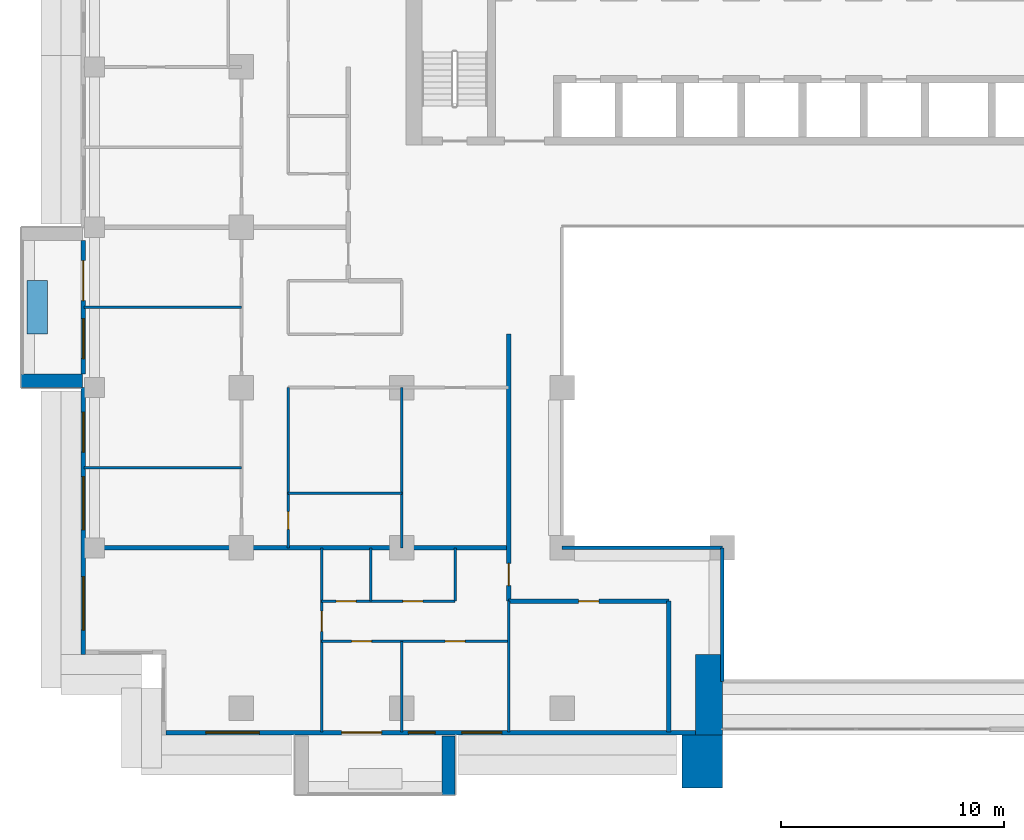
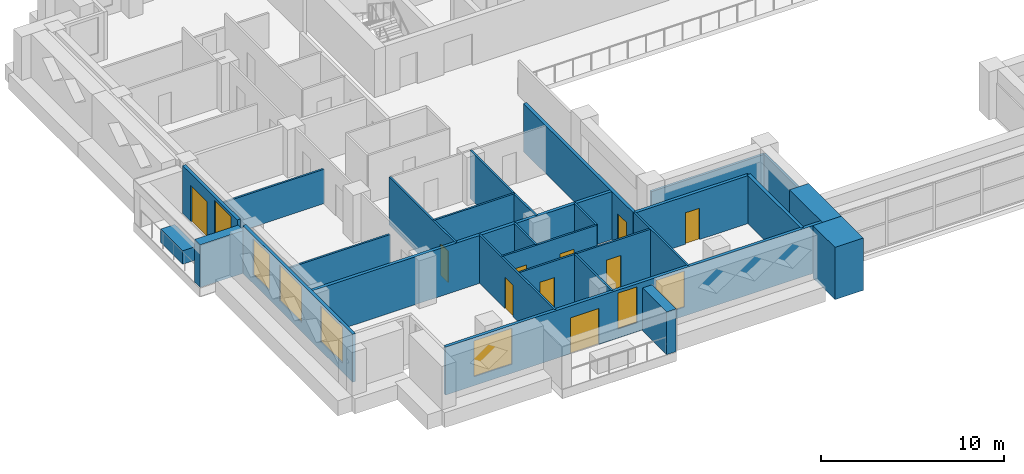
# One storey, part 6 of 19: 26 walls, 10 doors, 7 windows, 17 openings.
"""IFC4 building model written with IfcOpenShell, lengths in metres."""

from ifc_helpers import new_model, si_unit, direction, frame, frame_2d, origin, place, context, subcontext, project, spatial, rectangle, extrude, material, layer, layer_set, type_object, element, fill, save


model = new_model("IFC4")

# Units and contexts
model_context = context("Model", 3, precision=1e-05, world=origin(), true_north=direction((0.0, 1.0)))
body_context = subcontext(model_context, "Body", "Model", "MODEL_VIEW")
ifc_project = project(units=[si_unit("LENGTHUNIT", "METRE"), si_unit("AREAUNIT", "SQUARE_METRE"), si_unit("VOLUMEUNIT", "CUBIC_METRE"), si_unit("PLANEANGLEUNIT", "RADIAN"), si_unit("MASSUNIT", "GRAM", prefix="KILO")], contexts=[model_context])

# Site, building, storey
site_placement = place(None, origin())
site = spatial("IfcSite", under=ifc_project, at=site_placement, CompositionType="ELEMENT")
building_placement = place(site_placement, origin())
building = spatial("IfcBuilding", under=site, at=building_placement, Name="Saffron Iwan Residences", CompositionType="ELEMENT")
storey_placement = place(building_placement, frame((0.0, 0.0, 120.0)))
storey = spatial("IfcBuildingStorey", under=building, at=storey_placement, Name="L31", CompositionType="ELEMENT", Elevation=120.0)

# Walls
ifc_material_1 = material(Name="Fire-rated glazing", Category="glass")
ifc_layer_1 = layer(ifc_material_1, 0.14990234375)
ifc_layer_set_1 = layer_set([ifc_layer_1], Name="Fire-rated glazing")
wall_type_1 = type_object("IfcWallType", Name="Atrium glazed screen 150", PredefinedType="SOLIDWALL", material=ifc_layer_set_1)
wall_1_placement = place(storey_placement, frame((36.0, 48.0, 0.0), z_axis=(0.0, 0.0, 1.0), x_axis=(1.0, 0.0, 0.0)))
element("IfcWall", 1, at=wall_1_placement, inside=storey, type_object=wall_type_1, Name="W-L31-SCREEN-h48-36", PredefinedType="SOLIDWALL", context=body_context, shape_type="SweptSolid", body=[
    extrude(rectangle(XDim=7.199951171875, YDim=0.14990234375, at=frame_2d((3.60009765625, 0.0))), origin(), (0.0, 0.0, 1.0), 2.300048828125),
])
wall_2_placement = place(storey_placement, frame((43.199951171875, 42.0, 0.0), z_axis=(0.0, 0.0, 1.0), x_axis=(0.0, 1.0, 0.0)))
element("IfcWall", 2, at=wall_2_placement, inside=storey, type_object=wall_type_1, Name="W-L31-SCREEN-v43.2-42", PredefinedType="SOLIDWALL", context=body_context, shape_type="SweptSolid", body=[
    extrude(rectangle(XDim=6.0, YDim=0.14990234375, at=frame_2d((3.0, 0.0))), origin(), (0.0, 0.0, 1.0), 2.300048828125),
])
ifc_material_2 = material(Name="Concrete C50/60 white painted", Category="concrete")
ifc_layer_2 = layer(ifc_material_2, 0.60009765625)
ifc_layer_set_2 = layer_set([ifc_layer_2], Name="Concrete C50/60 white painted")
wall_type_2 = type_object("IfcWallType", Name="BALCONY FIN 600", PredefinedType="SOLIDWALL", material=ifc_layer_set_2)
wall_3_placement = place(storey_placement, frame((14.449951171875, 55.5, 0.0), z_axis=(0.0, 0.0, 1.0), x_axis=(-1.0, 0.0, 0.0)))
element("IfcWall", 3, at=wall_3_placement, inside=storey, type_object=wall_type_2, Name="Balcony fin L31 F8-0b", PredefinedType="SOLIDWALL", context=body_context, shape_type="SweptSolid", body=[
    extrude(rectangle(XDim=2.75, YDim=0.60009765625, at=frame_2d((1.375, 0.0))), origin(), (0.0, 0.0, 1.0), 2.85009765625),
])
wall_4_placement = place(storey_placement, frame((30.89990234375, 39.550048828125, 0.0), z_axis=(0.0, 0.0, 1.0), x_axis=(0.0, -1.0, 0.0)))
element("IfcWall", 4, at=wall_4_placement, inside=storey, type_object=wall_type_2, Name="Balcony fin L31 11-0b", PredefinedType="SOLIDWALL", context=body_context, shape_type="SweptSolid", body=[
    extrude(rectangle(XDim=2.650146484375, YDim=0.60009765625, at=frame_2d((1.3251953125, 0.0))), origin(), (0.0, 0.0, 1.0), 2.85009765625),
])
ifc_material_3 = material(Name="Concrete C35/45 white painted", Category="concrete")
ifc_layer_3 = layer(ifc_material_3, 0.14990234375)
ifc_layer_set_3 = layer_set([ifc_layer_3], Name="Concrete C35/45 white painted")
wall_type_3 = type_object("IfcWallType", Name="BALCONY PLANTER", PredefinedType="SOLIDWALL", material=ifc_layer_set_3)
wall_5_placement = place(storey_placement, frame((12.425048828125, 60.0, 0.0), z_axis=(0.0, 0.0, 1.0), x_axis=(0.0, -1.0, 0.0)))
element("IfcWall", 5, at=wall_5_placement, inside=storey, type_object=wall_type_3, Name="PLANTER L31 F8-0", PredefinedType="SOLIDWALL", context=body_context, shape_type="SweptSolid", body=[
    extrude(rectangle(XDim=2.39990234375, YDim=0.89990234375, at=frame_2d((1.199951171875, 0.0))), origin(), (0.0, 0.0, 1.0), 0.89990234375),
])

# Wall, openings, door, window
ifc_material_4 = material(Name="Concrete C40/50", Category="concrete")
ifc_layer_4 = layer(ifc_material_4, 0.199951171875)
ifc_layer_set_4 = layer_set([ifc_layer_4], Name="Concrete C40/50")
wall_type_4 = type_object("IfcWallType", Name="EXTERNAL WALL 200", PredefinedType="SOLIDWALL", material=ifc_layer_set_4)
wall_6_placement = place(storey_placement, frame((14.5, 61.800048828125, 0.0), z_axis=(0.0, 0.0, 1.0), x_axis=(0.0, -1.0, 0.0)))
wall_6 = element("IfcWall", 6, at=wall_6_placement, inside=storey, type_object=wall_type_4, Name="External wall L31 F8.1", PredefinedType="SOLIDWALL", context=body_context, shape_type="SweptSolid", body=[
    extrude(rectangle(XDim=6.0, YDim=0.199951171875, at=frame_2d((3.0, 0.0))), origin(), (0.0, 0.0, 1.0), 3.199951171875),
])
opening_1_placement = place(wall_6_placement, frame((0.89990234375, 0.0, 0.0)))
opening_1 = element("IfcOpeningElement", 7, at=opening_1_placement, cuts=wall_6, Name="Opening BD1", PredefinedType="OPENING", context=body_context, shape_type="SweptSolid", body=[
    extrude(rectangle(XDim=1.800048828125, YDim=2.39990234375, at=frame_2d((0.89990234375, 1.199951171875))), frame((0.0, 0.10986328125, 0.0), z_axis=(0.0, -1.0, 0.0), x_axis=(1.0, 0.0, 0.0)), (0.0, 0.0, 1.0), 0.219970703125),
])
opening_2_placement = place(wall_6_placement, frame((3.5, 0.0, 0.60009765625)))
opening_2 = element("IfcOpeningElement", 8, at=opening_2_placement, cuts=wall_6, Name="Opening W8", PredefinedType="OPENING", context=body_context, shape_type="SweptSolid", body=[
    extrude(rectangle(XDim=1.800048828125, YDim=2.39990234375, at=frame_2d((0.89990234375, 1.199951171875))), frame((0.0, 0.10986328125, 0.0), z_axis=(0.0, -1.0, 0.0), x_axis=(1.0, 0.0, 0.0)), (0.0, 0.0, 1.0), 0.219970703125),
])
ifc_material_5 = material(Name="Clear glass, laminated double glazed", Category="glass")
door_type_1 = type_object("IfcDoorType", Name="BALCONY DOOR 1800 x 2400", OperationType="DOUBLE_DOOR_SLIDING", PredefinedType="DOOR", material=ifc_material_5)
door_1_placement = place(opening_1_placement, origin())
door_1 = element("IfcDoor", 9, at=door_1_placement, inside=storey, type_object=door_type_1, Name="Balcony door L31 F8.0", OperationType="DOUBLE_DOOR_SLIDING", OverallHeight=2.39990234375, OverallWidth=1.800048828125, PredefinedType="DOOR", context=body_context, shape_type="SweptSolid", body=[
    extrude(rectangle(XDim=1.800048828125, YDim=2.39990234375, at=frame_2d((0.89990234375, 1.199951171875))), frame((0.0, 0.02490234375, 0.0), z_axis=(0.0, -1.0, 0.0), x_axis=(1.0, 0.0, 0.0)), (0.0, 0.0, 1.0), 0.050048828125),
])
fill(opening_1, door_1)
window_type_1 = type_object("IfcWindowType", Name="WINDOW 1800 x 2400", PartitioningType="DOUBLE_PANEL_VERTICAL", PredefinedType="WINDOW", material=ifc_material_5)
window_1_placement = place(opening_2_placement, origin())
window_1 = element("IfcWindow", 10, at=window_1_placement, inside=storey, type_object=window_type_1, Name="Window L31 F8.1", OverallHeight=2.39990234375, OverallWidth=1.800048828125, PartitioningType="DOUBLE_PANEL_VERTICAL", PredefinedType="WINDOW", context=body_context, shape_type="SweptSolid", body=[
    extrude(rectangle(XDim=1.800048828125, YDim=2.39990234375, at=frame_2d((0.89990234375, 1.199951171875))), frame((0.0, 0.030029296875, 0.0), z_axis=(0.0, -1.0, 0.0), x_axis=(1.0, 0.0, 0.0)), (0.0, 0.0, 1.0), 0.06005859375),
])
fill(opening_2, window_1)

# Wall, openings, windows
wall_7_placement = place(storey_placement, frame((14.5, 55.199951171875, 0.0), z_axis=(0.0, 0.0, 1.0), x_axis=(0.0, -1.0, 0.0)))
wall_7 = element("IfcWall", 11, at=wall_7_placement, inside=storey, type_object=wall_type_4, Name="External wall L31 F8.2", PredefinedType="SOLIDWALL", context=body_context, shape_type="SweptSolid", body=[
    extrude(rectangle(XDim=12.0, YDim=0.199951171875, at=frame_2d((6.0, 0.0))), origin(), (0.0, 0.0, 1.0), 3.199951171875),
])
opening_3_placement = place(wall_7_placement, frame((8.5, 0.0, 0.60009765625)))
opening_3 = element("IfcOpeningElement", 12, at=opening_3_placement, cuts=wall_7, Name="Opening W1", PredefinedType="OPENING", context=body_context, shape_type="SweptSolid", body=[
    extrude(rectangle(XDim=2.39990234375, YDim=2.39990234375, at=frame_2d((1.199951171875, 1.199951171875))), frame((0.0, 0.10986328125, 0.0), z_axis=(0.0, -1.0, 0.0), x_axis=(1.0, 0.0, 0.0)), (0.0, 0.0, 1.0), 0.219970703125),
])
opening_4_placement = place(wall_7_placement, frame((4.0, 0.0, 0.60009765625)))
opening_4 = element("IfcOpeningElement", 13, at=opening_4_placement, cuts=wall_7, Name="Opening W1", PredefinedType="OPENING", context=body_context, shape_type="SweptSolid", body=[
    extrude(rectangle(XDim=2.39990234375, YDim=2.39990234375, at=frame_2d((1.199951171875, 1.199951171875))), frame((0.0, 0.10986328125, 0.0), z_axis=(0.0, -1.0, 0.0), x_axis=(1.0, 0.0, 0.0)), (0.0, 0.0, 1.0), 0.219970703125),
])
opening_5_placement = place(wall_7_placement, frame((1.10009765625, 0.0, 0.60009765625)))
opening_5 = element("IfcOpeningElement", 14, at=opening_5_placement, cuts=wall_7, Name="Opening W8", PredefinedType="OPENING", context=body_context, shape_type="SweptSolid", body=[
    extrude(rectangle(XDim=1.800048828125, YDim=2.39990234375, at=frame_2d((0.89990234375, 1.199951171875))), frame((0.0, 0.10986328125, 0.0), z_axis=(0.0, -1.0, 0.0), x_axis=(1.0, 0.0, 0.0)), (0.0, 0.0, 1.0), 0.219970703125),
])
window_2_placement = place(opening_5_placement, origin())
window_2 = element("IfcWindow", 15, at=window_2_placement, inside=storey, type_object=window_type_1, Name="Window L31 F8.2", OverallHeight=2.39990234375, OverallWidth=1.800048828125, PartitioningType="DOUBLE_PANEL_VERTICAL", PredefinedType="WINDOW", context=body_context, shape_type="SweptSolid", body=[
    extrude(rectangle(XDim=1.800048828125, YDim=2.39990234375, at=frame_2d((0.89990234375, 1.199951171875))), frame((0.0, 0.030029296875, 0.0), z_axis=(0.0, -1.0, 0.0), x_axis=(1.0, 0.0, 0.0)), (0.0, 0.0, 1.0), 0.06005859375),
])
fill(opening_5, window_2)
window_type_2 = type_object("IfcWindowType", Name="WINDOW 2400 x 2400", PartitioningType="DOUBLE_PANEL_VERTICAL", PredefinedType="WINDOW", material=ifc_material_5)
window_3_placement = place(opening_3_placement, origin())
window_3 = element("IfcWindow", 16, at=window_3_placement, inside=storey, type_object=window_type_2, Name="Window L31 F8.0", OverallHeight=2.39990234375, OverallWidth=2.39990234375, PartitioningType="DOUBLE_PANEL_VERTICAL", PredefinedType="WINDOW", context=body_context, shape_type="SweptSolid", body=[
    extrude(rectangle(XDim=2.39990234375, YDim=2.39990234375, at=frame_2d((1.199951171875, 1.199951171875))), frame((0.0, 0.030029296875, 0.0), z_axis=(0.0, -1.0, 0.0), x_axis=(1.0, 0.0, 0.0)), (0.0, 0.0, 1.0), 0.06005859375),
])
fill(opening_3, window_3)
window_4_placement = place(opening_4_placement, origin())
window_4 = element("IfcWindow", 17, at=window_4_placement, inside=storey, type_object=window_type_2, Name="Window L31 F8.1", OverallHeight=2.39990234375, OverallWidth=2.39990234375, PartitioningType="DOUBLE_PANEL_VERTICAL", PredefinedType="WINDOW", context=body_context, shape_type="SweptSolid", body=[
    extrude(rectangle(XDim=2.39990234375, YDim=2.39990234375, at=frame_2d((1.199951171875, 1.199951171875))), frame((0.0, 0.030029296875, 0.0), z_axis=(0.0, -1.0, 0.0), x_axis=(1.0, 0.0, 0.0)), (0.0, 0.0, 1.0), 0.06005859375),
])
fill(opening_4, window_4)

# Wall, openings, door, windows
wall_8_placement = place(storey_placement, frame((18.199951171875, 39.699951171875, 0.0), z_axis=(0.0, 0.0, 1.0), x_axis=(1.0, 0.0, 0.0)))
wall_8 = element("IfcWall", 18, at=wall_8_placement, inside=storey, type_object=wall_type_4, Name="External wall L31 F11.0", PredefinedType="SOLIDWALL", context=body_context, shape_type="SweptSolid", body=[
    extrude(rectangle(XDim=23.800048828125, YDim=0.199951171875, at=frame_2d((11.89990234375, 0.0))), origin(), (0.0, 0.0, 1.0), 3.199951171875),
])
opening_6_placement = place(wall_8_placement, frame((7.89990234375, 0.0, 0.0)))
opening_6 = element("IfcOpeningElement", 19, at=opening_6_placement, cuts=wall_8, Name="Opening BD1", PredefinedType="OPENING", context=body_context, shape_type="SweptSolid", body=[
    extrude(rectangle(XDim=1.800048828125, YDim=2.39990234375, at=frame_2d((0.89990234375, 1.199951171875))), frame((0.0, 0.10986328125, 0.0), z_axis=(0.0, -1.0, 0.0), x_axis=(1.0, 0.0, 0.0)), (0.0, 0.0, 1.0), 0.219970703125),
])
opening_7_placement = place(wall_8_placement, frame((1.800048828125, 0.0, 0.60009765625)))
opening_7 = element("IfcOpeningElement", 20, at=opening_7_placement, cuts=wall_8, Name="Opening W1", PredefinedType="OPENING", context=body_context, shape_type="SweptSolid", body=[
    extrude(rectangle(XDim=2.39990234375, YDim=2.39990234375, at=frame_2d((1.199951171875, 1.199951171875))), frame((0.0, 0.10986328125, 0.0), z_axis=(0.0, -1.0, 0.0), x_axis=(1.0, 0.0, 0.0)), (0.0, 0.0, 1.0), 0.219970703125),
])
opening_8_placement = place(wall_8_placement, frame((10.89990234375, 0.0, 0.60009765625)))
opening_8 = element("IfcOpeningElement", 21, at=opening_8_placement, cuts=wall_8, Name="Opening W3", PredefinedType="OPENING", context=body_context, shape_type="SweptSolid", body=[
    extrude(rectangle(XDim=1.199951171875, YDim=2.39990234375, at=frame_2d((0.60009765625, 1.199951171875))), frame((0.0, 0.10986328125, 0.0), z_axis=(0.0, -1.0, 0.0), x_axis=(1.0, 0.0, 0.0)), (0.0, 0.0, 1.0), 0.219970703125),
])
opening_9_placement = place(wall_8_placement, frame((13.300048828125, 0.0, 0.60009765625)))
opening_9 = element("IfcOpeningElement", 22, at=opening_9_placement, cuts=wall_8, Name="Opening W8", PredefinedType="OPENING", context=body_context, shape_type="SweptSolid", body=[
    extrude(rectangle(XDim=1.800048828125, YDim=2.39990234375, at=frame_2d((0.89990234375, 1.199951171875))), frame((0.0, 0.10986328125, 0.0), z_axis=(0.0, -1.0, 0.0), x_axis=(1.0, 0.0, 0.0)), (0.0, 0.0, 1.0), 0.219970703125),
])
door_2_placement = place(opening_6_placement, origin())
door_2 = element("IfcDoor", 23, at=door_2_placement, inside=storey, type_object=door_type_1, Name="Balcony door L31 F11.0", OperationType="DOUBLE_DOOR_SLIDING", OverallHeight=2.39990234375, OverallWidth=1.800048828125, PredefinedType="DOOR", context=body_context, shape_type="SweptSolid", body=[
    extrude(rectangle(XDim=1.800048828125, YDim=2.39990234375, at=frame_2d((0.89990234375, 1.199951171875))), frame((0.0, 0.02490234375, 0.0), z_axis=(0.0, -1.0, 0.0), x_axis=(1.0, 0.0, 0.0)), (0.0, 0.0, 1.0), 0.050048828125),
])
fill(opening_6, door_2)
window_type_3 = type_object("IfcWindowType", Name="WINDOW 1200 x 2400", PartitioningType="SINGLE_PANEL", PredefinedType="WINDOW", material=ifc_material_5)
window_5_placement = place(opening_8_placement, origin())
window_5 = element("IfcWindow", 24, at=window_5_placement, inside=storey, type_object=window_type_3, Name="Window L31 F11.2", OverallHeight=2.39990234375, OverallWidth=1.199951171875, PartitioningType="SINGLE_PANEL", PredefinedType="WINDOW", context=body_context, shape_type="SweptSolid", body=[
    extrude(rectangle(XDim=1.199951171875, YDim=2.39990234375, at=frame_2d((0.60009765625, 1.199951171875))), frame((0.0, 0.030029296875, 0.0), z_axis=(0.0, -1.0, 0.0), x_axis=(1.0, 0.0, 0.0)), (0.0, 0.0, 1.0), 0.06005859375),
])
fill(opening_8, window_5)
window_6_placement = place(opening_9_placement, origin())
window_6 = element("IfcWindow", 25, at=window_6_placement, inside=storey, type_object=window_type_1, Name="Window L31 F11.3", OverallHeight=2.39990234375, OverallWidth=1.800048828125, PartitioningType="DOUBLE_PANEL_VERTICAL", PredefinedType="WINDOW", context=body_context, shape_type="SweptSolid", body=[
    extrude(rectangle(XDim=1.800048828125, YDim=2.39990234375, at=frame_2d((0.89990234375, 1.199951171875))), frame((0.0, 0.030029296875, 0.0), z_axis=(0.0, -1.0, 0.0), x_axis=(1.0, 0.0, 0.0)), (0.0, 0.0, 1.0), 0.06005859375),
])
fill(opening_9, window_6)
window_7_placement = place(opening_7_placement, origin())
window_7 = element("IfcWindow", 26, at=window_7_placement, inside=storey, type_object=window_type_2, Name="Window L31 F11.1", OverallHeight=2.39990234375, OverallWidth=2.39990234375, PartitioningType="DOUBLE_PANEL_VERTICAL", PredefinedType="WINDOW", context=body_context, shape_type="SweptSolid", body=[
    extrude(rectangle(XDim=2.39990234375, YDim=2.39990234375, at=frame_2d((1.199951171875, 1.199951171875))), frame((0.0, 0.030029296875, 0.0), z_axis=(0.0, -1.0, 0.0), x_axis=(1.0, 0.0, 0.0)), (0.0, 0.0, 1.0), 0.06005859375),
])
fill(opening_7, window_7)

# Wall
ifc_material_6 = material(Name="Fire-rated gypsum board wall")
ifc_layer_5 = layer(ifc_material_6, 0.199951171875)
ifc_layer_set_5 = layer_set([ifc_layer_5], Name="Fire-rated gypsum board wall")
wall_type_5 = type_object("IfcWallType", Name="Flat demising wall 200", PredefinedType="SOLIDWALL", material=ifc_layer_set_5)
wall_9_placement = place(storey_placement, frame((14.52490234375, 48.0, 0.0), z_axis=(0.0, 0.0, 1.0), x_axis=(1.0, 0.0, 0.0)))
element("IfcWall", 27, at=wall_9_placement, inside=storey, type_object=wall_type_5, Name="W-L31-DEMISE-h48-14.525", PredefinedType="SOLIDWALL", context=body_context, shape_type="SweptSolid", body=[
    extrude(rectangle(XDim=19.0751953125, YDim=0.199951171875, at=frame_2d((9.53759765625, 0.0))), origin(), (0.0, 0.0, 1.0), 3.199951171875),
])

# Wall, openings, doors
ifc_material_7 = material(Name="Gypsum board partition")
ifc_layer_6 = layer(ifc_material_7, 0.1201171875)
ifc_layer_set_6 = layer_set([ifc_layer_6], Name="Gypsum board partition")
wall_type_6 = type_object("IfcWallType", Name="Flat partition 120", PredefinedType="PARTITIONING", material=ifc_layer_set_6)
wall_10_placement = place(storey_placement, frame((25.199951171875, 43.800048828125, 0.0), z_axis=(0.0, 0.0, 1.0), x_axis=(1.0, 0.0, 0.0)))
wall_10 = element("IfcWall", 28, at=wall_10_placement, inside=storey, type_object=wall_type_6, Name="W-L31-PART-h43.8-25.2", PredefinedType="PARTITIONING", context=body_context, shape_type="SweptSolid", body=[
    extrude(rectangle(XDim=8.400146484375, YDim=0.1201171875, at=frame_2d((4.2001953125, 0.0))), origin(), (0.0, 0.0, 1.0), 3.199951171875),
])
opening_10_placement = place(wall_10_placement, frame((1.35009765625, 0.0, 0.0)))
opening_10 = element("IfcOpeningElement", 29, at=opening_10_placement, cuts=wall_10, Name="Opening FD2", PredefinedType="OPENING", context=body_context, shape_type="SweptSolid", body=[
    extrude(rectangle(XDim=0.89990234375, YDim=2.10009765625, at=frame_2d((0.449951171875, 1.050048828125))), frame((0.0, 0.070068359375, 0.0), z_axis=(0.0, -1.0, 0.0), x_axis=(1.0, 0.0, 0.0)), (0.0, 0.0, 1.0), 0.14013671875),
])
opening_11_placement = place(wall_10_placement, frame((5.550048828125, 0.0, 0.0)))
opening_11 = element("IfcOpeningElement", 30, at=opening_11_placement, cuts=wall_10, Name="Opening FD2", PredefinedType="OPENING", context=body_context, shape_type="SweptSolid", body=[
    extrude(rectangle(XDim=0.89990234375, YDim=2.10009765625, at=frame_2d((0.449951171875, 1.050048828125))), frame((0.0, 0.070068359375, 0.0), z_axis=(0.0, -1.0, 0.0), x_axis=(1.0, 0.0, 0.0)), (0.0, 0.0, 1.0), 0.14013671875),
])
ifc_material_8 = material(Name="Timber door", Category="wood")
door_type_2 = type_object("IfcDoorType", Name="Flat door 900", OperationType="NOTDEFINED", PredefinedType="DOOR", material=ifc_material_8)
door_3_placement = place(opening_10_placement, origin())
door_3 = element("IfcDoor", 31, at=door_3_placement, inside=storey, type_object=door_type_2, Name="Door L31-003", OperationType="SINGLE_SWING_RIGHT", OverallHeight=2.10009765625, OverallWidth=0.89990234375, PredefinedType="DOOR", context=body_context, shape_type="SweptSolid", body=[
    extrude(rectangle(XDim=0.89990234375, YDim=2.10009765625, at=frame_2d((0.449951171875, 1.050048828125))), frame((0.0, 0.02490234375, 0.0), z_axis=(0.0, -1.0, 0.0), x_axis=(1.0, 0.0, 0.0)), (0.0, 0.0, 1.0), 0.050048828125),
])
fill(opening_10, door_3)
door_4_placement = place(opening_11_placement, origin())
door_4 = element("IfcDoor", 32, at=door_4_placement, inside=storey, type_object=door_type_2, Name="Door L31-004", OperationType="SINGLE_SWING_LEFT", OverallHeight=2.10009765625, OverallWidth=0.89990234375, PredefinedType="DOOR", context=body_context, shape_type="SweptSolid", body=[
    extrude(rectangle(XDim=0.89990234375, YDim=2.10009765625, at=frame_2d((0.449951171875, 1.050048828125))), frame((0.0, 0.02490234375, 0.0), z_axis=(0.0, -1.0, 0.0), x_axis=(1.0, 0.0, 0.0)), (0.0, 0.0, 1.0), 0.050048828125),
])
fill(opening_11, door_4)

wall_11_placement = place(storey_placement, frame((25.199951171875, 45.60009765625, 0.0), z_axis=(0.0, 0.0, 1.0), x_axis=(1.0, 0.0, 0.0)))
wall_11 = element("IfcWall", 33, at=wall_11_placement, inside=storey, type_object=wall_type_6, Name="W-L31-PART-h45.6-25.2", PredefinedType="PARTITIONING", context=body_context, shape_type="SweptSolid", body=[
    extrude(rectangle(XDim=6.0, YDim=0.1201171875, at=frame_2d((3.0, 0.0))), origin(), (0.0, 0.0, 1.0), 3.199951171875),
])
opening_12_placement = place(wall_11_placement, frame((0.64990234375, 0.0, 0.0)))
opening_12 = element("IfcOpeningElement", 34, at=opening_12_placement, cuts=wall_11, Name="Opening FD2", PredefinedType="OPENING", context=body_context, shape_type="SweptSolid", body=[
    extrude(rectangle(XDim=0.89990234375, YDim=2.10009765625, at=frame_2d((0.449951171875, 1.050048828125))), frame((0.0, 0.070068359375, 0.0), z_axis=(0.0, -1.0, 0.0), x_axis=(1.0, 0.0, 0.0)), (0.0, 0.0, 1.0), 0.14013671875),
])
opening_13_placement = place(wall_11_placement, frame((3.64990234375, 0.0, 0.0)))
opening_13 = element("IfcOpeningElement", 35, at=opening_13_placement, cuts=wall_11, Name="Opening FD2", PredefinedType="OPENING", context=body_context, shape_type="SweptSolid", body=[
    extrude(rectangle(XDim=0.89990234375, YDim=2.10009765625, at=frame_2d((0.449951171875, 1.050048828125))), frame((0.0, 0.070068359375, 0.0), z_axis=(0.0, -1.0, 0.0), x_axis=(1.0, 0.0, 0.0)), (0.0, 0.0, 1.0), 0.14013671875),
])
door_5_placement = place(opening_12_placement, origin())
door_5 = element("IfcDoor", 36, at=door_5_placement, inside=storey, type_object=door_type_2, Name="Door L31-005", OperationType="SINGLE_SWING_LEFT", OverallHeight=2.10009765625, OverallWidth=0.89990234375, PredefinedType="DOOR", context=body_context, shape_type="SweptSolid", body=[
    extrude(rectangle(XDim=0.89990234375, YDim=2.10009765625, at=frame_2d((0.449951171875, 1.050048828125))), frame((0.0, 0.02490234375, 0.0), z_axis=(0.0, -1.0, 0.0), x_axis=(1.0, 0.0, 0.0)), (0.0, 0.0, 1.0), 0.050048828125),
])
fill(opening_12, door_5)
door_6_placement = place(opening_13_placement, origin())
door_6 = element("IfcDoor", 37, at=door_6_placement, inside=storey, type_object=door_type_2, Name="Door L31-006", OperationType="SINGLE_SWING_RIGHT", OverallHeight=2.10009765625, OverallWidth=0.89990234375, PredefinedType="DOOR", context=body_context, shape_type="SweptSolid", body=[
    extrude(rectangle(XDim=0.89990234375, YDim=2.10009765625, at=frame_2d((0.449951171875, 1.050048828125))), frame((0.0, 0.02490234375, 0.0), z_axis=(0.0, -1.0, 0.0), x_axis=(1.0, 0.0, 0.0)), (0.0, 0.0, 1.0), 0.050048828125),
])
fill(opening_13, door_6)

# Walls
wall_12_placement = place(storey_placement, frame((23.699951171875, 50.449951171875, 0.0), z_axis=(0.0, 0.0, 1.0), x_axis=(1.0, 0.0, 0.0)))
element("IfcWall", 38, at=wall_12_placement, inside=storey, type_object=wall_type_6, Name="W-L31-PART-h50.45-23.7", PredefinedType="PARTITIONING", context=body_context, shape_type="SweptSolid", body=[
    extrude(rectangle(XDim=5.10009765625, YDim=0.1201171875, at=frame_2d((2.550048828125, 0.0))), origin(), (0.0, 0.0, 1.0), 3.199951171875),
])
for number, where, z_axis, x_axis, name in (
    (39, (14.52490234375, 51.60009765625, 0.0), (0.0, 0.0, 1.0), (1.0, 0.0, 0.0), "W-L31-PART-h51.6-14.525"),
    (40, (14.52490234375, 58.800048828125, 0.0), (0.0, 0.0, 1.0), (1.0, 0.0, 0.0), "W-L31-PART-h58.8-14.525"),
):
    element("IfcWall", number, at=place(storey_placement, frame(where, z_axis=z_axis, x_axis=x_axis)), inside=storey, type_object=wall_type_6, Name=name, PredefinedType="PARTITIONING", context=body_context, shape_type="SweptSolid", body=[
        extrude(rectangle(XDim=7.0751953125, YDim=0.1201171875, at=frame_2d((3.53759765625, 0.0))), origin(), (0.0, 0.0, 1.0), 2.300048828125),
    ])

# Wall, opening, door
wall_13_placement = place(storey_placement, frame((23.699951171875, 48.0, 0.0), z_axis=(0.0, 0.0, 1.0), x_axis=(0.0, 1.0, 0.0)))
wall_13 = element("IfcWall", 41, at=wall_13_placement, inside=storey, type_object=wall_type_6, Name="W-L31-PART-v23.7-48", PredefinedType="PARTITIONING", context=body_context, shape_type="SweptSolid", body=[
    extrude(rectangle(XDim=7.199951171875, YDim=0.1201171875, at=frame_2d((3.60009765625, 0.0))), origin(), (0.0, 0.0, 1.0), 3.199951171875),
])
opening_14_placement = place(wall_13_placement, frame((0.824951171875, 0.0, 0.0)))
opening_14 = element("IfcOpeningElement", 42, at=opening_14_placement, cuts=wall_13, Name="Opening FD3", PredefinedType="OPENING", context=body_context, shape_type="SweptSolid", body=[
    extrude(rectangle(XDim=0.800048828125, YDim=2.10009765625, at=frame_2d((0.39990234375, 1.050048828125))), frame((0.0, 0.070068359375, 0.0), z_axis=(0.0, -1.0, 0.0), x_axis=(1.0, 0.0, 0.0)), (0.0, 0.0, 1.0), 0.14013671875),
])
door_type_3 = type_object("IfcDoorType", Name="Bathroom door 800", OperationType="NOTDEFINED", PredefinedType="DOOR", material=ifc_material_8)
door_7_placement = place(opening_14_placement, origin())
door_7 = element("IfcDoor", 43, at=door_7_placement, inside=storey, type_object=door_type_3, Name="Door L31-012", OperationType="SINGLE_SWING_RIGHT", OverallHeight=2.10009765625, OverallWidth=0.800048828125, PredefinedType="DOOR", context=body_context, shape_type="SweptSolid", body=[
    extrude(rectangle(XDim=0.800048828125, YDim=2.10009765625, at=frame_2d((0.39990234375, 1.050048828125))), frame((0.0, 0.02490234375, 0.0), z_axis=(0.0, -1.0, 0.0), x_axis=(1.0, 0.0, 0.0)), (0.0, 0.0, 1.0), 0.050048828125),
])
fill(opening_14, door_7)

wall_14_placement = place(storey_placement, frame((25.199951171875, 39.72509765625, 0.0), z_axis=(0.0, 0.0, 1.0), x_axis=(0.0, 1.0, 0.0)))
wall_14 = element("IfcWall", 44, at=wall_14_placement, inside=storey, type_object=wall_type_6, Name="W-L31-PART-v25.2-39.725", PredefinedType="PARTITIONING", context=body_context, shape_type="SweptSolid", body=[
    extrude(rectangle(XDim=8.27490234375, YDim=0.1201171875, at=frame_2d((4.137451171875, 0.0))), origin(), (0.0, 0.0, 1.0), 3.199951171875),
])
opening_15_placement = place(wall_14_placement, frame((4.52490234375, 0.0, 0.0)))
opening_15 = element("IfcOpeningElement", 45, at=opening_15_placement, cuts=wall_14, Name="Opening FD2", PredefinedType="OPENING", context=body_context, shape_type="SweptSolid", body=[
    extrude(rectangle(XDim=0.89990234375, YDim=2.10009765625, at=frame_2d((0.449951171875, 1.050048828125))), frame((0.0, 0.070068359375, 0.0), z_axis=(0.0, -1.0, 0.0), x_axis=(1.0, 0.0, 0.0)), (0.0, 0.0, 1.0), 0.14013671875),
])
door_8_placement = place(opening_15_placement, origin())
door_8 = element("IfcDoor", 46, at=door_8_placement, inside=storey, type_object=door_type_2, Name="Door L31-002", OperationType="SINGLE_SWING_LEFT", OverallHeight=2.10009765625, OverallWidth=0.89990234375, PredefinedType="DOOR", context=body_context, shape_type="SweptSolid", body=[
    extrude(rectangle(XDim=0.89990234375, YDim=2.10009765625, at=frame_2d((0.449951171875, 1.050048828125))), frame((0.0, 0.02490234375, 0.0), z_axis=(0.0, -1.0, 0.0), x_axis=(1.0, 0.0, 0.0)), (0.0, 0.0, 1.0), 0.050048828125),
])
fill(opening_15, door_8)

# Walls
wall_15_placement = place(storey_placement, frame((27.39990234375, 45.60009765625, 0.0), z_axis=(0.0, 0.0, 1.0), x_axis=(0.0, 1.0, 0.0)))
element("IfcWall", 47, at=wall_15_placement, inside=storey, type_object=wall_type_6, Name="W-L31-PART-v27.4-45.6", PredefinedType="PARTITIONING", context=body_context, shape_type="SweptSolid", body=[
    extrude(rectangle(XDim=2.39990234375, YDim=0.1201171875, at=frame_2d((1.199951171875, 0.0))), origin(), (0.0, 0.0, 1.0), 3.199951171875),
])
wall_16_placement = place(storey_placement, frame((28.800048828125, 39.72509765625, 0.0), z_axis=(0.0, 0.0, 1.0), x_axis=(0.0, 1.0, 0.0)))
element("IfcWall", 48, at=wall_16_placement, inside=storey, type_object=wall_type_6, Name="W-L31-PART-v28.8-39.725", PredefinedType="PARTITIONING", context=body_context, shape_type="SweptSolid", body=[
    extrude(rectangle(XDim=4.074951171875, YDim=0.1201171875, at=frame_2d((2.03759765625, 0.0))), origin(), (0.0, 0.0, 1.0), 3.199951171875),
])
wall_17_placement = place(storey_placement, frame((28.800048828125, 48.0, 0.0), z_axis=(0.0, 0.0, 1.0), x_axis=(0.0, 1.0, 0.0)))
element("IfcWall", 49, at=wall_17_placement, inside=storey, type_object=wall_type_6, Name="W-L31-PART-v28.8-48", PredefinedType="PARTITIONING", context=body_context, shape_type="SweptSolid", body=[
    extrude(rectangle(XDim=7.199951171875, YDim=0.1201171875, at=frame_2d((3.60009765625, 0.0))), origin(), (0.0, 0.0, 1.0), 3.199951171875),
])
wall_18_placement = place(storey_placement, frame((31.199951171875, 45.60009765625, 0.0), z_axis=(0.0, 0.0, 1.0), x_axis=(0.0, 1.0, 0.0)))
element("IfcWall", 50, at=wall_18_placement, inside=storey, type_object=wall_type_6, Name="W-L31-PART-v31.2-45.6", PredefinedType="PARTITIONING", context=body_context, shape_type="SweptSolid", body=[
    extrude(rectangle(XDim=2.39990234375, YDim=0.1201171875, at=frame_2d((1.199951171875, 0.0))), origin(), (0.0, 0.0, 1.0), 3.199951171875),
])
wall_19_placement = place(storey_placement, frame((33.60009765625, 39.72509765625, 0.0), z_axis=(0.0, 0.0, 1.0), x_axis=(0.0, 1.0, 0.0)))
element("IfcWall", 51, at=wall_19_placement, inside=storey, type_object=wall_type_6, Name="W-L31-PART-v33.6-39.725", PredefinedType="PARTITIONING", context=body_context, shape_type="SweptSolid", body=[
    extrude(rectangle(XDim=5.875, YDim=0.1201171875, at=frame_2d((2.9375, 0.0))), origin(), (0.0, 0.0, 1.0), 3.199951171875),
])

# Wall, opening, door
ifc_layer_7 = layer(ifc_material_6, 0.199951171875)
ifc_layer_set_7 = layer_set([ifc_layer_7], Name="Fire-rated gypsum board wall")
wall_type_7 = type_object("IfcWallType", Name="Gallery wall 200", PredefinedType="SOLIDWALL", material=ifc_layer_set_7)
wall_20_placement = place(storey_placement, frame((33.60009765625, 45.60009765625, 0.0), z_axis=(0.0, 0.0, 1.0), x_axis=(1.0, 0.0, 0.0)))
wall_20 = element("IfcWall", 52, at=wall_20_placement, inside=storey, type_object=wall_type_7, Name="W-L31-CORR-h45.6-33.6", PredefinedType="SOLIDWALL", context=body_context, shape_type="SweptSolid", body=[
    extrude(rectangle(XDim=7.199951171875, YDim=0.199951171875, at=frame_2d((3.60009765625, 0.0))), origin(), (0.0, 0.0, 1.0), 3.199951171875),
])
opening_16_placement = place(wall_20_placement, frame((3.14990234375, 0.0, 0.0)))
opening_16 = element("IfcOpeningElement", 53, at=opening_16_placement, cuts=wall_20, Name="Opening FD2", PredefinedType="OPENING", context=body_context, shape_type="SweptSolid", body=[
    extrude(rectangle(XDim=0.89990234375, YDim=2.10009765625, at=frame_2d((0.449951171875, 1.050048828125))), frame((0.0, 0.10986328125, 0.0), z_axis=(0.0, -1.0, 0.0), x_axis=(1.0, 0.0, 0.0)), (0.0, 0.0, 1.0), 0.219970703125),
])
door_9_placement = place(opening_16_placement, origin())
door_9 = element("IfcDoor", 54, at=door_9_placement, inside=storey, type_object=door_type_2, Name="Door L31-007", OperationType="SINGLE_SWING_LEFT", OverallHeight=2.10009765625, OverallWidth=0.89990234375, PredefinedType="DOOR", context=body_context, shape_type="SweptSolid", body=[
    extrude(rectangle(XDim=0.89990234375, YDim=2.10009765625, at=frame_2d((0.449951171875, 1.050048828125))), frame((0.0, 0.02490234375, 0.0), z_axis=(0.0, -1.0, 0.0), x_axis=(1.0, 0.0, 0.0)), (0.0, 0.0, 1.0), 0.050048828125),
])
fill(opening_16, door_9)

wall_21_placement = place(storey_placement, frame((33.60009765625, 45.60009765625, 0.0), z_axis=(0.0, 0.0, 1.0), x_axis=(0.0, 1.0, 0.0)))
wall_21 = element("IfcWall", 55, at=wall_21_placement, inside=storey, type_object=wall_type_7, Name="W-L31-CORR-v33.6-45.6", PredefinedType="SOLIDWALL", context=body_context, shape_type="SweptSolid", body=[
    extrude(rectangle(XDim=12.0, YDim=0.199951171875, at=frame_2d((6.0, 0.0))), origin(), (0.0, 0.0, 1.0), 3.199951171875),
])
opening_17_placement = place(wall_21_placement, frame((0.699951171875, 0.0, 0.0)))
opening_17 = element("IfcOpeningElement", 56, at=opening_17_placement, cuts=wall_21, Name="Opening FD1", PredefinedType="OPENING", context=body_context, shape_type="SweptSolid", body=[
    extrude(rectangle(XDim=1.0, YDim=2.10009765625, at=frame_2d((0.5, 1.050048828125))), frame((0.0, 0.10986328125, 0.0), z_axis=(0.0, -1.0, 0.0), x_axis=(1.0, 0.0, 0.0)), (0.0, 0.0, 1.0), 0.219970703125),
])
ifc_material_9 = material(Name="Fire-rated timber door", Category="wood")
door_type_4 = type_object("IfcDoorType", Name="FD30S flat entrance door 1000", OperationType="NOTDEFINED", PredefinedType="DOOR", material=ifc_material_9)
door_10_placement = place(opening_17_placement, origin())
door_10 = element("IfcDoor", 57, at=door_10_placement, inside=storey, type_object=door_type_4, Name="Door L31-001", OperationType="SINGLE_SWING_LEFT", OverallHeight=2.10009765625, OverallWidth=1.0, PredefinedType="DOOR", context=body_context, shape_type="SweptSolid", body=[
    extrude(rectangle(XDim=1.0, YDim=2.10009765625, at=frame_2d((0.5, 1.050048828125))), frame((0.0, 0.02490234375, 0.0), z_axis=(0.0, -1.0, 0.0), x_axis=(1.0, 0.0, 0.0)), (0.0, 0.0, 1.0), 0.050048828125),
])
fill(opening_17, door_10)

# Walls
wall_22_placement = place(storey_placement, frame((40.800048828125, 39.72509765625, 0.0), z_axis=(0.0, 0.0, 1.0), x_axis=(0.0, 1.0, 0.0)))
element("IfcWall", 58, at=wall_22_placement, inside=storey, type_object=wall_type_7, Name="W-L31-CORR-v40.8-39.725", PredefinedType="SOLIDWALL", context=body_context, shape_type="SweptSolid", body=[
    extrude(rectangle(XDim=5.875, YDim=0.199951171875, at=frame_2d((2.9375, 0.0))), origin(), (0.0, 0.0, 1.0), 3.199951171875),
])
ifc_material_10 = material(Name="Terracotta screen, precast concrete C40/50", Category="masonry")
ifc_layer_8 = layer(ifc_material_10, 1.800048828125)
ifc_layer_set_8 = layer_set([ifc_layer_8], Name="Terracotta screen, precast concrete C40/50")
wall_type_8 = type_object("IfcWallType", Name="Portal pier, precast concrete 1800 (tower)", PredefinedType="SOLIDWALL", material=ifc_layer_set_8)
wall_23_placement = place(storey_placement, frame((42.300048828125, 37.199951171875, -0.300048828125), z_axis=(0.0, 0.0, 1.0), x_axis=(0.0, 1.0, 0.0)))
element("IfcWall", 59, at=wall_23_placement, inside=storey, type_object=wall_type_8, Name="Portal pier W L31", PredefinedType="SOLIDWALL", context=body_context, shape_type="SweptSolid", body=[
    extrude(rectangle(XDim=2.400146484375, YDim=1.800048828125, at=frame_2d((1.2001953125, 0.0))), origin(), (0.0, 0.0, 1.0), 3.5),
])
ifc_material_11 = material(Name="Concrete C50/60", Category="concrete")
ifc_layer_9 = layer(ifc_material_11, 1.199951171875)
ifc_layer_set_9 = layer_set([ifc_layer_9], Name="Concrete C50/60")
wall_type_9 = type_object("IfcWallType", Name="WALL IWAN PIER 1200 C50/60 3200 HIGH", PredefinedType="SHEAR", material=ifc_layer_set_9)
wall_24_placement = place(storey_placement, frame((42.60009765625, 39.60009765625, 0.0), z_axis=(0.0, 0.0, 1.0), x_axis=(0.0, 1.0, 0.0)))
element("IfcWall", 60, at=wall_24_placement, inside=storey, type_object=wall_type_9, Name="IWAN PIER", PredefinedType="SHEAR", context=body_context, shape_type="SweptSolid", body=[
    extrude(rectangle(XDim=3.599853515625, YDim=1.199951171875, at=frame_2d((1.7998046875, 0.0))), origin(), (0.0, 0.0, 1.0), 3.199951171875),
])

save(model, "model.ifc")
